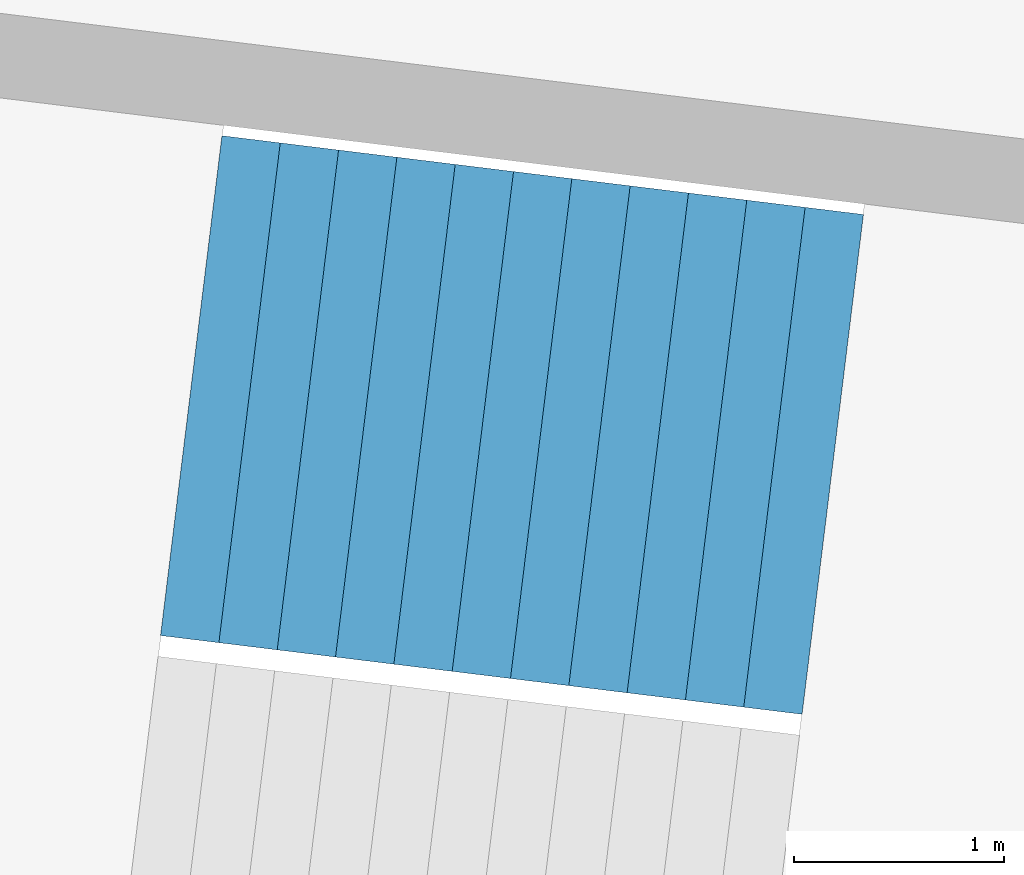
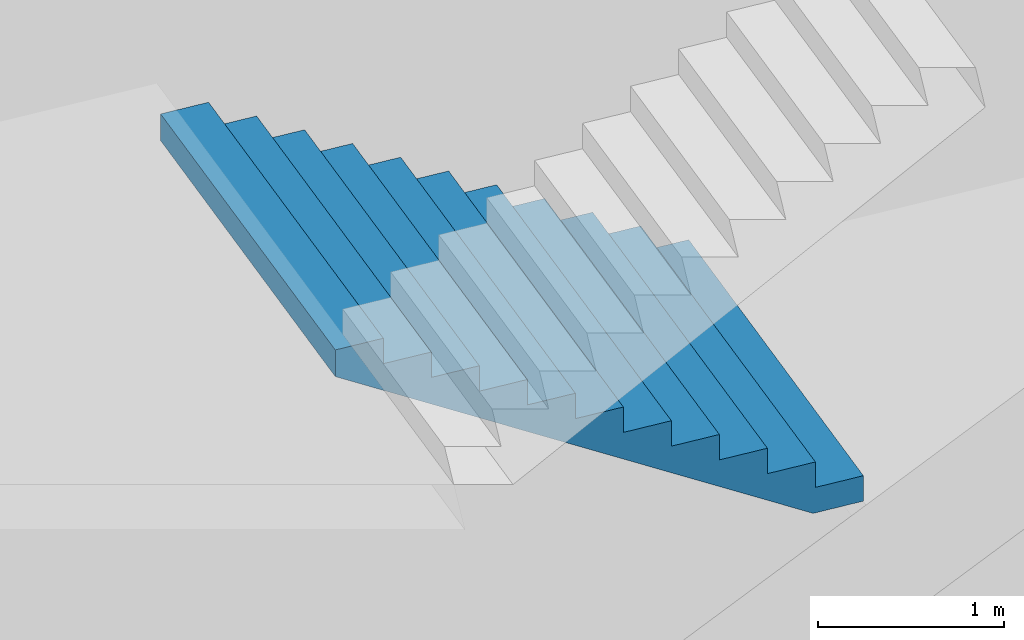
# One storey, part 29 of 74: 1 stair flight, 1 element without a shape of its own.
"""IFC4 building model written with IfcOpenShell, lengths in metres."""

from ifc_helpers import new_model, si_unit, direction, frame, origin, place, context, subcontext, project, spatial, triangles, material, type_object, element, aggregate, save


model = new_model("IFC4")

# Units and contexts
model_context = context("Model", 3, precision=1e-05, world=origin(), true_north=direction((0.0, 1.0)))
body_context = subcontext(model_context, "Body", "Model", "MODEL_VIEW")
ifc_project = project(units=[si_unit("LENGTHUNIT", "METRE"), si_unit("AREAUNIT", "SQUARE_METRE"), si_unit("VOLUMEUNIT", "CUBIC_METRE"), si_unit("PLANEANGLEUNIT", "RADIAN"), si_unit("MASSUNIT", "GRAM", prefix="KILO")], contexts=[model_context])

# Site, building, storey
site_placement = place(None, origin())
site = spatial("IfcSite", under=ifc_project, at=site_placement, CompositionType="ELEMENT")
building_placement = place(site_placement, origin())
building = spatial("IfcBuilding", under=site, at=building_placement, Name="Lantaw Convention Tower", CompositionType="ELEMENT")
storey_placement = place(building_placement, frame((0.0, 0.0, 6.5)))
storey = spatial("IfcBuildingStorey", under=building, at=storey_placement, Name="L01", CompositionType="ELEMENT", Elevation=6.5)

# Stair, stair flight
ifc_material = material(Name="Concrete C35/45", Category="concrete")
stair_type = type_object("IfcStairType", Name="Exit stair 2400 riser 166.67 in 4 flights", PredefinedType="HALF_TURN_STAIR", material=ifc_material)
stair_placement = place(storey_placement, origin())
stair = element("IfcStair", 1, at=stair_placement, inside=storey, type_object=stair_type, Name="Podium exit stair P9 L01", PredefinedType="HALF_TURN_STAIR")
stair_flight_type = type_object("IfcStairFlightType", Name="Stair flight 2400 riser 166.67", PredefinedType="STRAIGHT", material=ifc_material)
stair_flight_placement = place(storey_placement, frame((-37.9716796875, 5.921630859375, 4.0), z_axis=(0.0, 0.0, 1.0), x_axis=(-0.992546151641, 0.121869343405, 0.0)))
stair_flight = element("IfcStairFlight", 2, at=stair_flight_placement, type_object=stair_flight_type, Name="P9 flight 3", NumberOfRisers=12, NumberOfTreads=11, PredefinedType="STRAIGHT", RiserHeight=0.166666667, TreadLength=0.28, context=body_context, shape_type="Tessellation", body=[
    triangles([(0.0, 1.199951171875, 0.0), (0.0, 1.199951171875, 0.166666667), (0.28, 1.199951171875, 0.0), (0.28, 1.199951171875, 0.166666667), (0.28, 1.199951171875, 0.333333334), (0.29307345806906726, 1.199951171875, 0.0), (0.29307345806906726, 1.199951171875, 0.333333334), (0.56, 1.199951171875, 0.15888484670522965), (0.56, 1.199951171875, 0.333333334), (0.56, 1.199951171875, 0.500000001), (0.8400000000000001, 1.199951171875, 0.3255515137052296), (0.8400000000000001, 1.199951171875, 0.500000001), (0.8400000000000001, 1.199951171875, 0.666666668), (1.12, 1.199951171875, 0.4922181807052296), (1.12, 1.199951171875, 0.666666668), (1.12, 1.199951171875, 0.833333335), (1.4000000000000001, 1.199951171875, 0.6588848477052296), (1.4000000000000001, 1.199951171875, 0.833333335), (1.4000000000000001, 1.199951171875, 1.000000002), (1.6800000000000002, 1.199951171875, 0.8255515147052296), (1.6800000000000002, 1.199951171875, 1.000000002), (1.6800000000000002, 1.199951171875, 1.166666669), (1.9600000000000002, 1.199951171875, 0.9922181817052296), (1.9600000000000002, 1.199951171875, 1.166666669), (1.9600000000000002, 1.199951171875, 1.333333336), (2.24, 1.199951171875, 1.1588848487052295), (2.24, 1.199951171875, 1.333333336), (2.24, 1.199951171875, 1.5000000029999998), (2.5200000000000005, 1.199951171875, 1.3255515157052296), (2.5200000000000005, 1.199951171875, 1.5000000029999998), (2.5200000000000005, 1.199951171875, 1.66666667), (2.8000000000000003, 1.199951171875, 1.4922181827052294), (2.8000000000000003, 1.199951171875, 1.66666667), (2.8000000000000003, 1.199951171875, 1.833333337), (3.08, 1.199951171875, 1.6588848497052293), (3.08, 1.199951171875, 1.833333337), (0.0, -1.199951171875, 0.0), (0.0, -1.199951171875, 0.166666667), (0.28, -1.199951171875, 0.0), (0.28, -1.199951171875, 0.166666667), (0.28, -1.199951171875, 0.333333334), (0.29307345806906726, -1.199951171875, 0.0), (0.29307345806906726, -1.199951171875, 0.333333334), (0.56, -1.199951171875, 0.15888484670522965), (0.56, -1.199951171875, 0.333333334), (0.56, -1.199951171875, 0.500000001), (0.8400000000000001, -1.199951171875, 0.3255515137052296), (0.8400000000000001, -1.199951171875, 0.500000001), (0.8400000000000001, -1.199951171875, 0.666666668), (1.12, -1.199951171875, 0.4922181807052296), (1.12, -1.199951171875, 0.666666668), (1.12, -1.199951171875, 0.833333335), (1.4000000000000001, -1.199951171875, 0.6588848477052296), (1.4000000000000001, -1.199951171875, 0.833333335), (1.4000000000000001, -1.199951171875, 1.000000002), (1.6800000000000002, -1.199951171875, 0.8255515147052296), (1.6800000000000002, -1.199951171875, 1.000000002), (1.6800000000000002, -1.199951171875, 1.166666669), (1.9600000000000002, -1.199951171875, 0.9922181817052296), (1.9600000000000002, -1.199951171875, 1.166666669), (1.9600000000000002, -1.199951171875, 1.333333336), (2.24, -1.199951171875, 1.1588848487052295), (2.24, -1.199951171875, 1.333333336), (2.24, -1.199951171875, 1.5000000029999998), (2.5200000000000005, -1.199951171875, 1.3255515157052296), (2.5200000000000005, -1.199951171875, 1.5000000029999998), (2.5200000000000005, -1.199951171875, 1.66666667), (2.8000000000000003, -1.199951171875, 1.4922181827052294), (2.8000000000000003, -1.199951171875, 1.66666667), (2.8000000000000003, -1.199951171875, 1.833333337), (3.08, -1.199951171875, 1.6588848497052293), (3.08, -1.199951171875, 1.833333337), (0.0, 0.239990234375, 0.166666667), (0.0, 0.239990234375, 0.0), (0.0, 0.1199951171875, 0.166666667), (0.0, 0.1199951171875, 0.0), (0.0, 0.0, 0.166666667), (0.0, 0.0, 0.0), (0.0, -0.1199951171875, 0.166666667), (0.0, -0.1199951171875, 0.0), (0.0, -0.239990234375, 0.166666667), (0.0, -0.239990234375, 0.0), (0.28, 0.239990234375, 0.333333334), (0.28, 0.239990234375, 0.166666667), (0.28, 0.1199951171875, 0.333333334), (0.28, 0.1199951171875, 0.166666667), (0.28, 0.0, 0.333333334), (0.28, 0.0, 0.166666667), (0.28, -0.1199951171875, 0.333333334), (0.28, -0.1199951171875, 0.166666667), (0.28, -0.239990234375, 0.333333334), (0.28, -0.239990234375, 0.166666667), (0.56, 0.239990234375, 0.500000001), (0.56, 0.239990234375, 0.333333334), (0.56, 0.1199951171875, 0.500000001), (0.56, 0.1199951171875, 0.333333334), (0.56, 0.0, 0.500000001), (0.56, 0.0, 0.333333334), (0.56, -0.1199951171875, 0.500000001), (0.56, -0.1199951171875, 0.333333334), (0.56, -0.239990234375, 0.500000001), (0.56, -0.239990234375, 0.333333334), (0.8400000000000001, 0.239990234375, 0.666666668), (0.8400000000000001, 0.239990234375, 0.500000001), (0.8400000000000001, 0.1199951171875, 0.666666668), (0.8400000000000001, 0.1199951171875, 0.500000001), (0.8400000000000001, 0.0, 0.666666668), (0.8400000000000001, 0.0, 0.500000001), (0.8400000000000001, -0.1199951171875, 0.666666668), (0.8400000000000001, -0.1199951171875, 0.500000001), (0.8400000000000001, -0.239990234375, 0.666666668), (0.8400000000000001, -0.239990234375, 0.500000001), (1.12, 0.239990234375, 0.833333335), (1.12, 0.239990234375, 0.666666668), (1.12, 0.1199951171875, 0.833333335), (1.12, 0.1199951171875, 0.666666668), (1.12, 0.0, 0.833333335), (1.12, 0.0, 0.666666668), (1.12, -0.1199951171875, 0.833333335), (1.12, -0.1199951171875, 0.666666668), (1.12, -0.239990234375, 0.833333335), (1.12, -0.239990234375, 0.666666668), (1.4000000000000001, 0.239990234375, 1.000000002), (1.4000000000000001, 0.239990234375, 0.833333335), (1.4000000000000001, 0.1199951171875, 1.000000002), (1.4000000000000001, 0.1199951171875, 0.833333335), (1.4000000000000001, 0.0, 1.000000002), (1.4000000000000001, 0.0, 0.833333335), (1.4000000000000001, -0.1199951171875, 1.000000002), (1.4000000000000001, -0.1199951171875, 0.833333335), (1.4000000000000001, -0.239990234375, 1.000000002), (1.4000000000000001, -0.239990234375, 0.833333335), (1.6800000000000002, 0.239990234375, 1.166666669), (1.6800000000000002, 0.239990234375, 1.000000002), (1.6800000000000002, 0.1199951171875, 1.166666669), (1.6800000000000002, 0.1199951171875, 1.000000002), (1.6800000000000002, 0.0, 1.166666669), (1.6800000000000002, 0.0, 1.000000002), (1.6800000000000002, -0.1199951171875, 1.166666669), (1.6800000000000002, -0.1199951171875, 1.000000002), (1.6800000000000002, -0.239990234375, 1.166666669), (1.6800000000000002, -0.239990234375, 1.000000002), (1.9600000000000002, 0.239990234375, 1.333333336), (1.9600000000000002, 0.239990234375, 1.166666669), (1.9600000000000002, 0.1199951171875, 1.333333336), (1.9600000000000002, 0.1199951171875, 1.166666669), (1.9600000000000002, 0.0, 1.333333336), (1.9600000000000002, 0.0, 1.166666669), (1.9600000000000002, -0.1199951171875, 1.333333336), (1.9600000000000002, -0.1199951171875, 1.166666669), (1.9600000000000002, -0.239990234375, 1.333333336), (1.9600000000000002, -0.239990234375, 1.166666669), (2.24, 0.239990234375, 1.5000000029999998), (2.24, 0.239990234375, 1.333333336), (2.24, 0.1199951171875, 1.5000000029999998), (2.24, 0.1199951171875, 1.333333336), (2.24, 0.0, 1.5000000029999998), (2.24, 0.0, 1.333333336), (2.24, -0.1199951171875, 1.5000000029999998), (2.24, -0.1199951171875, 1.333333336), (2.24, -0.239990234375, 1.5000000029999998), (2.24, -0.239990234375, 1.333333336), (2.5200000000000005, 0.239990234375, 1.66666667), (2.5200000000000005, 0.239990234375, 1.5000000029999998), (2.5200000000000005, 0.1199951171875, 1.66666667), (2.5200000000000005, 0.1199951171875, 1.5000000029999998), (2.5200000000000005, 0.0, 1.66666667), (2.5200000000000005, 0.0, 1.5000000029999998), (2.5200000000000005, -0.1199951171875, 1.66666667), (2.5200000000000005, -0.1199951171875, 1.5000000029999998), (2.5200000000000005, -0.239990234375, 1.66666667), (2.5200000000000005, -0.239990234375, 1.5000000029999998), (2.8000000000000003, 0.239990234375, 1.833333337), (2.8000000000000003, 0.239990234375, 1.66666667), (2.8000000000000003, 0.1199951171875, 1.833333337), (2.8000000000000003, 0.1199951171875, 1.66666667), (2.8000000000000003, 0.0, 1.833333337), (2.8000000000000003, 0.0, 1.66666667), (2.8000000000000003, -0.1199951171875, 1.833333337), (2.8000000000000003, -0.1199951171875, 1.66666667), (2.8000000000000003, -0.239990234375, 1.833333337), (2.8000000000000003, -0.239990234375, 1.66666667), (0.29307345806906726, 0.239990234375, 0.333333334), (0.29307345806906726, 0.1199951171875, 0.333333334), (0.29307345806906726, 0.0, 0.333333334), (0.29307345806906726, -0.1199951171875, 0.333333334), (0.29307345806906726, -0.239990234375, 0.333333334), (3.08, 0.239990234375, 1.833333337), (3.08, 0.1199951171875, 1.833333337), (3.08, 0.0, 1.833333337), (3.08, -0.1199951171875, 1.833333337), (3.08, -0.239990234375, 1.833333337), (3.08, 0.239990234375, 1.6588848497052293), (3.08, 0.1199951171875, 1.6588848497052293), (3.08, 0.0, 1.6588848497052293), (3.08, -0.1199951171875, 1.6588848497052293), (3.08, -0.239990234375, 1.6588848497052293), (2.8000000000000003, 0.239990234375, 1.4922181827052294), (2.8000000000000003, 0.1199951171875, 1.4922181827052294), (2.8000000000000003, 0.0, 1.4922181827052294), (2.8000000000000003, -0.1199951171875, 1.4922181827052294), (2.8000000000000003, -0.239990234375, 1.4922181827052294), (2.5200000000000005, 0.239990234375, 1.3255515157052296), (2.5200000000000005, 0.1199951171875, 1.3255515157052296), (2.5200000000000005, 0.0, 1.3255515157052296), (2.5200000000000005, -0.1199951171875, 1.3255515157052296), (2.5200000000000005, -0.239990234375, 1.3255515157052296), (2.24, 0.239990234375, 1.1588848487052295), (2.24, 0.1199951171875, 1.1588848487052295), (2.24, 0.0, 1.1588848487052295), (2.24, -0.1199951171875, 1.1588848487052295), (2.24, -0.239990234375, 1.1588848487052295), (1.9600000000000002, 0.239990234375, 0.9922181817052296), (1.9600000000000002, 0.1199951171875, 0.9922181817052296), (1.9600000000000002, 0.0, 0.9922181817052296), (1.9600000000000002, -0.1199951171875, 0.9922181817052296), (1.9600000000000002, -0.239990234375, 0.9922181817052296), (1.6800000000000002, 0.239990234375, 0.8255515147052296), (1.6800000000000002, 0.1199951171875, 0.8255515147052296), (1.6800000000000002, 0.0, 0.8255515147052296), (1.6800000000000002, -0.1199951171875, 0.8255515147052296), (1.6800000000000002, -0.239990234375, 0.8255515147052296), (1.4000000000000001, 0.239990234375, 0.6588848477052296), (1.4000000000000001, 0.1199951171875, 0.6588848477052296), (1.4000000000000001, 0.0, 0.6588848477052296), (1.4000000000000001, -0.1199951171875, 0.6588848477052296), (1.4000000000000001, -0.239990234375, 0.6588848477052296), (1.12, 0.239990234375, 0.4922181807052296), (1.12, 0.1199951171875, 0.4922181807052296), (1.12, 0.0, 0.4922181807052296), (1.12, -0.1199951171875, 0.4922181807052296), (1.12, -0.239990234375, 0.4922181807052296), (0.8400000000000001, 0.239990234375, 0.3255515137052296), (0.8400000000000001, 0.1199951171875, 0.3255515137052296), (0.8400000000000001, 0.0, 0.3255515137052296), (0.8400000000000001, -0.1199951171875, 0.3255515137052296), (0.8400000000000001, -0.239990234375, 0.3255515137052296), (0.56, 0.239990234375, 0.15888484670522965), (0.56, 0.1199951171875, 0.15888484670522965), (0.56, 0.0, 0.15888484670522965), (0.56, -0.1199951171875, 0.15888484670522965), (0.56, -0.239990234375, 0.15888484670522965), (0.29307345806906726, 0.239990234375, 0.0), (0.29307345806906726, 0.1199951171875, 0.0), (0.29307345806906726, 0.0, 0.0), (0.29307345806906726, -0.1199951171875, 0.0), (0.29307345806906726, -0.239990234375, 0.0), (0.28, 0.239990234375, 0.0), (0.28, 0.1199951171875, 0.0), (0.28, 0.0, 0.0), (0.28, -0.1199951171875, 0.0), (0.28, -0.239990234375, 0.0)], [[1, 4, 3], [1, 2, 4], [3, 4, 6], [4, 7, 6], [4, 5, 7], [6, 9, 8], [6, 7, 9], [8, 9, 11], [9, 12, 11], [9, 10, 12], [11, 12, 14], [12, 15, 14], [12, 13, 15], [14, 15, 17], [15, 18, 17], [15, 16, 18], [17, 18, 20], [18, 21, 20], [18, 19, 21], [20, 21, 23], [21, 24, 23], [21, 22, 24], [23, 24, 26], [24, 27, 26], [24, 25, 27], [26, 27, 29], [27, 30, 29], [27, 28, 30], [29, 30, 32], [30, 33, 32], [30, 31, 33], [32, 33, 35], [33, 36, 35], [33, 34, 36], [37, 39, 40], [37, 40, 38], [39, 42, 40], [40, 42, 43], [40, 43, 41], [42, 44, 45], [42, 45, 43], [44, 47, 45], [45, 47, 48], [45, 48, 46], [47, 50, 48], [48, 50, 51], [48, 51, 49], [50, 53, 51], [51, 53, 54], [51, 54, 52], [53, 56, 54], [54, 56, 57], [54, 57, 55], [56, 59, 57], [57, 59, 60], [57, 60, 58], [59, 62, 60], [60, 62, 63], [60, 63, 61], [62, 65, 63], [63, 65, 66], [63, 66, 64], [65, 68, 66], [66, 68, 69], [66, 69, 67], [68, 71, 69], [69, 71, 72], [69, 72, 70], [1, 73, 2], [1, 74, 73], [74, 75, 73], [74, 76, 75], [76, 77, 75], [76, 78, 77], [78, 79, 77], [78, 80, 79], [80, 81, 79], [80, 82, 81], [82, 38, 81], [82, 37, 38], [4, 83, 5], [4, 84, 83], [84, 85, 83], [84, 86, 85], [86, 87, 85], [86, 88, 87], [88, 89, 87], [88, 90, 89], [90, 91, 89], [90, 92, 91], [92, 41, 91], [92, 40, 41], [9, 93, 10], [9, 94, 93], [94, 95, 93], [94, 96, 95], [96, 97, 95], [96, 98, 97], [98, 99, 97], [98, 100, 99], [100, 101, 99], [100, 102, 101], [102, 46, 101], [102, 45, 46], [12, 103, 13], [12, 104, 103], [104, 105, 103], [104, 106, 105], [106, 107, 105], [106, 108, 107], [108, 109, 107], [108, 110, 109], [110, 111, 109], [110, 112, 111], [112, 49, 111], [112, 48, 49], [15, 113, 16], [15, 114, 113], [114, 115, 113], [114, 116, 115], [116, 117, 115], [116, 118, 117], [118, 119, 117], [118, 120, 119], [120, 121, 119], [120, 122, 121], [122, 52, 121], [122, 51, 52], [18, 123, 19], [18, 124, 123], [124, 125, 123], [124, 126, 125], [126, 127, 125], [126, 128, 127], [128, 129, 127], [128, 130, 129], [130, 131, 129], [130, 132, 131], [132, 55, 131], [132, 54, 55], [21, 133, 22], [21, 134, 133], [134, 135, 133], [134, 136, 135], [136, 137, 135], [136, 138, 137], [138, 139, 137], [138, 140, 139], [140, 141, 139], [140, 142, 141], [142, 58, 141], [142, 57, 58], [24, 143, 25], [24, 144, 143], [144, 145, 143], [144, 146, 145], [146, 147, 145], [146, 148, 147], [148, 149, 147], [148, 150, 149], [150, 151, 149], [150, 152, 151], [152, 61, 151], [152, 60, 61], [27, 153, 28], [27, 154, 153], [154, 155, 153], [154, 156, 155], [156, 157, 155], [156, 158, 157], [158, 159, 157], [158, 160, 159], [160, 161, 159], [160, 162, 161], [162, 64, 161], [162, 63, 64], [30, 163, 31], [30, 164, 163], [164, 165, 163], [164, 166, 165], [166, 167, 165], [166, 168, 167], [168, 169, 167], [168, 170, 169], [170, 171, 169], [170, 172, 171], [172, 67, 171], [172, 66, 67], [33, 173, 34], [33, 174, 173], [174, 175, 173], [174, 176, 175], [176, 177, 175], [176, 178, 177], [178, 179, 177], [178, 180, 179], [180, 181, 179], [180, 182, 181], [182, 70, 181], [182, 69, 70], [2, 84, 4], [2, 73, 84], [73, 86, 84], [73, 75, 86], [75, 88, 86], [75, 77, 88], [77, 90, 88], [77, 79, 90], [79, 92, 90], [79, 81, 92], [81, 40, 92], [81, 38, 40], [5, 183, 7], [5, 83, 183], [83, 184, 183], [83, 85, 184], [85, 185, 184], [85, 87, 185], [87, 186, 185], [87, 89, 186], [89, 187, 186], [89, 91, 187], [91, 43, 187], [91, 41, 43], [7, 94, 9], [7, 183, 94], [183, 96, 94], [183, 184, 96], [184, 98, 96], [184, 185, 98], [185, 100, 98], [185, 186, 100], [186, 102, 100], [186, 187, 102], [187, 45, 102], [187, 43, 45], [10, 104, 12], [10, 93, 104], [93, 106, 104], [93, 95, 106], [95, 108, 106], [95, 97, 108], [97, 110, 108], [97, 99, 110], [99, 112, 110], [99, 101, 112], [101, 48, 112], [101, 46, 48], [13, 114, 15], [13, 103, 114], [103, 116, 114], [103, 105, 116], [105, 118, 116], [105, 107, 118], [107, 120, 118], [107, 109, 120], [109, 122, 120], [109, 111, 122], [111, 51, 122], [111, 49, 51], [16, 124, 18], [16, 113, 124], [113, 126, 124], [113, 115, 126], [115, 128, 126], [115, 117, 128], [117, 130, 128], [117, 119, 130], [119, 132, 130], [119, 121, 132], [121, 54, 132], [121, 52, 54], [19, 134, 21], [19, 123, 134], [123, 136, 134], [123, 125, 136], [125, 138, 136], [125, 127, 138], [127, 140, 138], [127, 129, 140], [129, 142, 140], [129, 131, 142], [131, 57, 142], [131, 55, 57], [22, 144, 24], [22, 133, 144], [133, 146, 144], [133, 135, 146], [135, 148, 146], [135, 137, 148], [137, 150, 148], [137, 139, 150], [139, 152, 150], [139, 141, 152], [141, 60, 152], [141, 58, 60], [25, 154, 27], [25, 143, 154], [143, 156, 154], [143, 145, 156], [145, 158, 156], [145, 147, 158], [147, 160, 158], [147, 149, 160], [149, 162, 160], [149, 151, 162], [151, 63, 162], [151, 61, 63], [28, 164, 30], [28, 153, 164], [153, 166, 164], [153, 155, 166], [155, 168, 166], [155, 157, 168], [157, 170, 168], [157, 159, 170], [159, 172, 170], [159, 161, 172], [161, 66, 172], [161, 64, 66], [31, 174, 33], [31, 163, 174], [163, 176, 174], [163, 165, 176], [165, 178, 176], [165, 167, 178], [167, 180, 178], [167, 169, 180], [169, 182, 180], [169, 171, 182], [171, 69, 182], [171, 67, 69], [34, 188, 36], [34, 173, 188], [173, 189, 188], [173, 175, 189], [175, 190, 189], [175, 177, 190], [177, 191, 190], [177, 179, 191], [179, 192, 191], [179, 181, 192], [181, 72, 192], [181, 70, 72], [36, 193, 35], [36, 188, 193], [188, 194, 193], [188, 189, 194], [189, 195, 194], [189, 190, 195], [190, 196, 195], [190, 191, 196], [191, 197, 196], [191, 192, 197], [192, 71, 197], [192, 72, 71], [35, 198, 32], [35, 193, 198], [193, 199, 198], [193, 194, 199], [194, 200, 199], [194, 195, 200], [195, 201, 200], [195, 196, 201], [196, 202, 201], [196, 197, 202], [197, 68, 202], [197, 71, 68], [32, 203, 29], [32, 198, 203], [198, 204, 203], [198, 199, 204], [199, 205, 204], [199, 200, 205], [200, 206, 205], [200, 201, 206], [201, 207, 206], [201, 202, 207], [202, 65, 207], [202, 68, 65], [29, 208, 26], [29, 203, 208], [203, 209, 208], [203, 204, 209], [204, 210, 209], [204, 205, 210], [205, 211, 210], [205, 206, 211], [206, 212, 211], [206, 207, 212], [207, 62, 212], [207, 65, 62], [26, 213, 23], [26, 208, 213], [208, 214, 213], [208, 209, 214], [209, 215, 214], [209, 210, 215], [210, 216, 215], [210, 211, 216], [211, 217, 216], [211, 212, 217], [212, 59, 217], [212, 62, 59], [23, 218, 20], [23, 213, 218], [213, 219, 218], [213, 214, 219], [214, 220, 219], [214, 215, 220], [215, 221, 220], [215, 216, 221], [216, 222, 221], [216, 217, 222], [217, 56, 222], [217, 59, 56], [20, 223, 17], [20, 218, 223], [218, 224, 223], [218, 219, 224], [219, 225, 224], [219, 220, 225], [220, 226, 225], [220, 221, 226], [221, 227, 226], [221, 222, 227], [222, 53, 227], [222, 56, 53], [17, 228, 14], [17, 223, 228], [223, 229, 228], [223, 224, 229], [224, 230, 229], [224, 225, 230], [225, 231, 230], [225, 226, 231], [226, 232, 231], [226, 227, 232], [227, 50, 232], [227, 53, 50], [14, 233, 11], [14, 228, 233], [228, 234, 233], [228, 229, 234], [229, 235, 234], [229, 230, 235], [230, 236, 235], [230, 231, 236], [231, 237, 236], [231, 232, 237], [232, 47, 237], [232, 50, 47], [11, 238, 8], [11, 233, 238], [233, 239, 238], [233, 234, 239], [234, 240, 239], [234, 235, 240], [235, 241, 240], [235, 236, 241], [236, 242, 241], [236, 237, 242], [237, 44, 242], [237, 47, 44], [8, 243, 6], [8, 238, 243], [238, 244, 243], [238, 239, 244], [239, 245, 244], [239, 240, 245], [240, 246, 245], [240, 241, 246], [241, 247, 246], [241, 242, 247], [242, 42, 247], [242, 44, 42], [6, 248, 3], [6, 243, 248], [243, 249, 248], [243, 244, 249], [244, 250, 249], [244, 245, 250], [245, 251, 250], [245, 246, 251], [246, 252, 251], [246, 247, 252], [247, 39, 252], [247, 42, 39], [3, 74, 1], [3, 248, 74], [248, 76, 74], [248, 249, 76], [249, 78, 76], [249, 250, 78], [250, 80, 78], [250, 251, 80], [251, 82, 80], [251, 252, 82], [252, 37, 82], [252, 39, 37]], closed=True),
])
aggregate(stair, [stair_flight])

save(model, "model.ifc")
